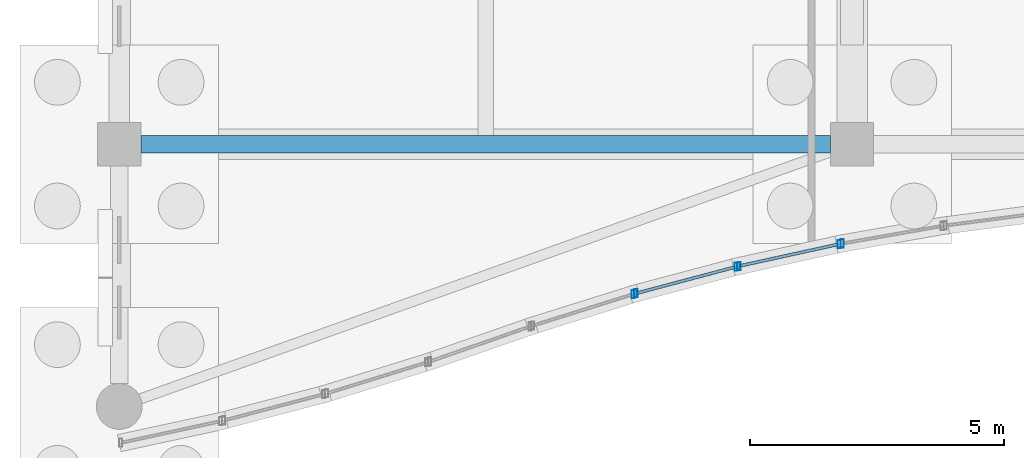
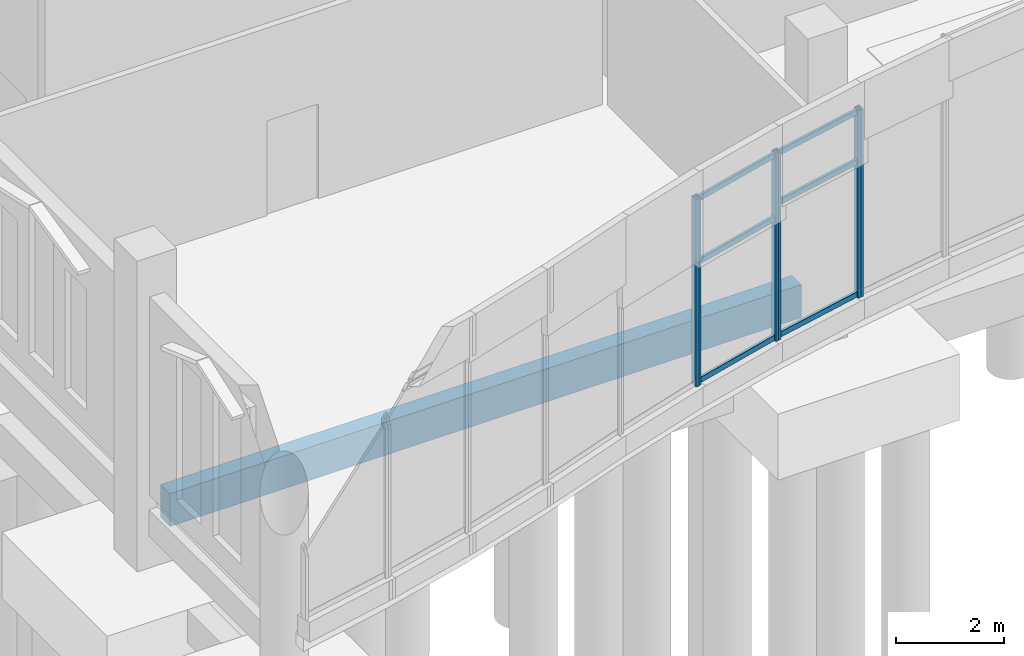
# One storey, part 22 of 192: 12 members, 1 beam, 4 elements without a shape of their own.
"""IFC4 building model written with IfcOpenShell, lengths in metres."""

from ifc_helpers import new_model, si_unit, direction, frame, origin, origin_2d, place, context, subcontext, project, spatial, rectangle, hollow_rectangle, extrude, material, material_profile, profile_set, type_object, element, aggregate, save


model = new_model("IFC4")

# Units and contexts
model_context = context("Model", 3, precision=1e-05, world=origin(), true_north=direction((0.0, 1.0)))
body_context = subcontext(model_context, "Body", "Model", "MODEL_VIEW")
ifc_project = project(units=[si_unit("LENGTHUNIT", "METRE"), si_unit("AREAUNIT", "SQUARE_METRE"), si_unit("VOLUMEUNIT", "CUBIC_METRE"), si_unit("PLANEANGLEUNIT", "RADIAN"), si_unit("MASSUNIT", "GRAM", prefix="KILO")], contexts=[model_context])

# Site, building, storey
site_placement = place(None, origin())
site = spatial("IfcSite", under=ifc_project, at=site_placement, CompositionType="ELEMENT")
building_placement = place(site_placement, origin())
building = spatial("IfcBuilding", under=site, at=building_placement, Name="Cendralis Lancet Convention Centre", CompositionType="ELEMENT")
storey_placement = place(building_placement, origin())
storey = spatial("IfcBuildingStorey", under=building, at=storey_placement, Name="L00", CompositionType="ELEMENT", Elevation=0.0)

# Curtain wall, member
ifc_material_1 = material(Name="Anodised bronze architectural aluminium", Category="aluminium")
curtain_wall_type = type_object("IfcCurtainWallType", Name="ARC-CW-WF01", PredefinedType="USERDEFINED", material=ifc_material_1)
curtain_wall_1_placement = place(storey_placement, origin())
curtain_wall_1 = element("IfcCurtainWall", 1, at=curtain_wall_1_placement, inside=storey, type_object=curtain_wall_type, Name="L00 Curtain Wall CW-WF1 #005", ObjectType="CURTAIN WALL", PredefinedType="USERDEFINED")
ifc_material_profile_1 = material_profile(ifc_material_1, hollow_rectangle(XDim=0.06005859375, YDim=0.159912109375, WallThickness=0.00390625, at=origin_2d()), Name="AL-MULL 60x160x4.0")
ifc_profile_set_1 = profile_set([ifc_material_profile_1], Name="Anodised bronze architectural aluminium")
member_type_1 = type_object("IfcMemberType", Name="ARC-CW-ML01", PredefinedType="MULLION", material=ifc_profile_set_1)
member_1_placement = place(storey_placement, frame((10.097412109375, 4.2509765625, 0.449951171875), z_axis=(0.0, 0.0, 1.0), x_axis=(1.0, 0.0, 0.0)))
member_1 = element("IfcMember", 2, at=member_1_placement, type_object=member_type_1, Name="Mullion CW2-CW-WF1-L00-005-M1", PredefinedType="MULLION", context=body_context, shape_type="SweptSolid", body=[
    extrude(hollow_rectangle(XDim=0.06005859375, YDim=0.159912109375, WallThickness=0.00390625, at=origin_2d()), origin(), (0.0, 0.0, 1.0), 4.255126953125),
])
aggregate(curtain_wall_1, [member_1])

# Curtain wall, members
curtain_wall_2_placement = place(storey_placement, origin())
curtain_wall_2 = element("IfcCurtainWall", 3, at=curtain_wall_2_placement, inside=storey, type_object=curtain_wall_type, Name="L00 Curtain Wall CW-WF1 #006", ObjectType="CURTAIN WALL", PredefinedType="USERDEFINED")
member_2_placement = place(storey_placement, frame((10.155029296875, 4.267578125, 0.449951171875), z_axis=(0.0, 0.0, 1.0), x_axis=(1.0, 0.0, 0.0)))
member_2 = element("IfcMember", 4, at=member_2_placement, type_object=member_type_1, Name="Mullion CW2-CW-WF1-L00-006-M0", PredefinedType="MULLION", context=body_context, shape_type="SweptSolid", body=[
    extrude(hollow_rectangle(XDim=0.06005859375, YDim=0.159912109375, WallThickness=0.00390625, at=origin_2d()), origin(), (0.0, 0.0, 1.0), 4.255126953125),
])
member_3_placement = place(storey_placement, frame((12.1220703125, 4.790283203125, 0.449951171875), z_axis=(0.0, 0.0, 1.0), x_axis=(1.0, 0.0, 0.0)))
member_3 = element("IfcMember", 5, at=member_3_placement, type_object=member_type_1, Name="Mullion CW2-CW-WF1-L00-006-M1", PredefinedType="MULLION", context=body_context, shape_type="SweptSolid", body=[
    extrude(hollow_rectangle(XDim=0.06005859375, YDim=0.159912109375, WallThickness=0.00390625, at=origin_2d()), origin(), (0.0, 0.0, 1.0), 4.255126953125),
])

curtain_wall_3_placement = place(storey_placement, origin())
curtain_wall_3 = element("IfcCurtainWall", 6, at=curtain_wall_3_placement, inside=storey, type_object=curtain_wall_type, Name="L00 Curtain Wall CW-WF1 #007", ObjectType="CURTAIN WALL", PredefinedType="USERDEFINED")
member_4_placement = place(storey_placement, frame((12.180419921875, 4.804443359375, 0.449951171875), z_axis=(0.0, 0.0, 1.0), x_axis=(1.0, 0.0, 0.0)))
member_4 = element("IfcMember", 7, at=member_4_placement, type_object=member_type_1, Name="Mullion CW2-CW-WF1-L00-007-M0", PredefinedType="MULLION", context=body_context, shape_type="SweptSolid", body=[
    extrude(hollow_rectangle(XDim=0.06005859375, YDim=0.159912109375, WallThickness=0.00390625, at=origin_2d()), origin(), (0.0, 0.0, 1.0), 4.255126953125),
])
member_5_placement = place(storey_placement, frame((14.147705078125, 5.236572265625, 0.449951171875), z_axis=(0.0, 0.0, 1.0), x_axis=(1.0, 0.0, 0.0)))
member_5 = element("IfcMember", 8, at=member_5_placement, type_object=member_type_1, Name="Mullion CW2-CW-WF1-L00-007-M1", PredefinedType="MULLION", context=body_context, shape_type="SweptSolid", body=[
    extrude(hollow_rectangle(XDim=0.06005859375, YDim=0.159912109375, WallThickness=0.00390625, at=origin_2d()), origin(), (0.0, 0.0, 1.0), 4.255126953125),
])

# Curtain wall, member
curtain_wall_4_placement = place(storey_placement, origin())
curtain_wall_4 = element("IfcCurtainWall", 9, at=curtain_wall_4_placement, inside=storey, type_object=curtain_wall_type, Name="L00 Curtain Wall CW-WF1 #008", ObjectType="CURTAIN WALL", PredefinedType="USERDEFINED")
member_6_placement = place(storey_placement, frame((14.20654296875, 5.248291015625, 0.449951171875), z_axis=(0.0, 0.0, 1.0), x_axis=(1.0, 0.0, 0.0)))
member_6 = element("IfcMember", 10, at=member_6_placement, type_object=member_type_1, Name="Mullion CW2-CW-WF1-L00-008-M0", PredefinedType="MULLION", context=body_context, shape_type="SweptSolid", body=[
    extrude(hollow_rectangle(XDim=0.06005859375, YDim=0.159912109375, WallThickness=0.00390625, at=origin_2d()), origin(), (0.0, 0.0, 1.0), 4.255126953125),
])
aggregate(curtain_wall_4, [member_6])

# Member
ifc_material_profile_2 = material_profile(ifc_material_1, hollow_rectangle(XDim=0.06005859375, YDim=0.1201171875, WallThickness=0.00390625, at=origin_2d()), Name="AL-TRAN 60x120x4.0")
ifc_profile_set_2 = profile_set([ifc_material_profile_2], Name="Anodised bronze architectural aluminium")
member_type_2 = type_object("IfcMemberType", Name="ARC-CW-TR01", PredefinedType="USERDEFINED", material=ifc_profile_set_2)
member_7_placement = place(storey_placement, frame((10.18408203125, 4.275390625, 0.510009765625), z_axis=(0.966452054749, 0.256847086554, 0.0), x_axis=(-0.256847086554, 0.966452054749, 0.0)))
member_7 = element("IfcMember", 11, at=member_7_placement, type_object=member_type_2, Name="Transom CW2-CW-WF1-L00-006-T0BOT", ObjectType="TRANSOM", PredefinedType="USERDEFINED", context=body_context, shape_type="SweptSolid", body=[
    extrude(hollow_rectangle(XDim=0.06005859375, YDim=0.1201171875, WallThickness=0.00390625, at=origin_2d()), origin(), (0.0, 0.0, 1.0), 1.97509765625),
])

member_8_placement = place(storey_placement, frame((10.18408203125, 4.275390625, 3.20703125), z_axis=(0.966452054749, 0.256847086554, 0.0), x_axis=(-0.256847086554, 0.966452054749, 0.0)))
member_8 = element("IfcMember", 12, at=member_8_placement, type_object=member_type_2, Name="Transom CW2-CW-WF1-L00-006-T0MID", ObjectType="TRANSOM", PredefinedType="USERDEFINED", context=body_context, shape_type="SweptSolid", body=[
    extrude(hollow_rectangle(XDim=0.06005859375, YDim=0.1201171875, WallThickness=0.00390625, at=origin_2d()), origin(), (0.0, 0.0, 1.0), 1.97509765625),
])

member_9_placement = place(storey_placement, frame((10.18408203125, 4.275390625, 4.64501953125), z_axis=(0.966452054749, 0.256847086554, 0.0), x_axis=(-0.256847086554, 0.966452054749, 0.0)))
member_9 = element("IfcMember", 13, at=member_9_placement, type_object=member_type_2, Name="Transom CW2-CW-WF1-L00-006-T0TOP", ObjectType="TRANSOM", PredefinedType="USERDEFINED", context=body_context, shape_type="SweptSolid", body=[
    extrude(hollow_rectangle(XDim=0.06005859375, YDim=0.1201171875, WallThickness=0.00390625, at=origin_2d()), origin(), (0.0, 0.0, 1.0), 1.97509765625),
])

aggregate(curtain_wall_2, [member_2, member_3, member_7, member_8, member_9])

member_10_placement = place(storey_placement, frame((12.209716796875, 4.810791015625, 0.510009765625), z_axis=(0.976722003181, 0.214509040607, 0.0), x_axis=(-0.214509040607, 0.976722003181, 0.0)))
member_10 = element("IfcMember", 14, at=member_10_placement, type_object=member_type_2, Name="Transom CW2-CW-WF1-L00-007-T0BOT", ObjectType="TRANSOM", PredefinedType="USERDEFINED", context=body_context, shape_type="SweptSolid", body=[
    extrude(hollow_rectangle(XDim=0.06005859375, YDim=0.1201171875, WallThickness=0.00390625, at=origin_2d()), origin(), (0.0, 0.0, 1.0), 1.9541015625),
])

member_11_placement = place(storey_placement, frame((12.209716796875, 4.810791015625, 3.51611328125), z_axis=(0.976722003181, 0.214509040607, 0.0), x_axis=(-0.214509040607, 0.976722003181, 0.0)))
member_11 = element("IfcMember", 15, at=member_11_placement, type_object=member_type_2, Name="Transom CW2-CW-WF1-L00-007-T0MID", ObjectType="TRANSOM", PredefinedType="USERDEFINED", context=body_context, shape_type="SweptSolid", body=[
    extrude(hollow_rectangle(XDim=0.06005859375, YDim=0.1201171875, WallThickness=0.00390625, at=origin_2d()), origin(), (0.0, 0.0, 1.0), 1.9541015625),
])

member_12_placement = place(storey_placement, frame((12.209716796875, 4.810791015625, 4.64501953125), z_axis=(0.976722003181, 0.214509040607, 0.0), x_axis=(-0.214509040607, 0.976722003181, 0.0)))
member_12 = element("IfcMember", 16, at=member_12_placement, type_object=member_type_2, Name="Transom CW2-CW-WF1-L00-007-T0TOP", ObjectType="TRANSOM", PredefinedType="USERDEFINED", context=body_context, shape_type="SweptSolid", body=[
    extrude(hollow_rectangle(XDim=0.06005859375, YDim=0.1201171875, WallThickness=0.00390625, at=origin_2d()), origin(), (0.0, 0.0, 1.0), 1.9541015625),
])

aggregate(curtain_wall_3, [member_4, member_5, member_10, member_11, member_12])

# Beam
ifc_material_2 = material(Name="Concrete G40 (C40/50)", Category="concrete")
ifc_material_profile_3 = material_profile(ifc_material_2, rectangle(XDim=0.35009765625, YDim=0.75, at=origin_2d()), Name="RCB 350x750")
ifc_profile_set_3 = profile_set([ifc_material_profile_3], Name="Concrete G40 (C40/50)")
beam_type = type_object("IfcBeamType", Name="STR-SP-SP01", PredefinedType="SPANDREL", material=ifc_profile_set_3)
beam_placement = place(storey_placement, frame((0.425048828125, 7.199951171875, -0.695068359375), z_axis=(1.0, 0.0, 0.0), x_axis=(0.0, 1.0, 0.0)))
element("IfcBeam", 17, at=beam_placement, inside=storey, type_object=beam_type, Name="L00 Beam SP01 #0656", PredefinedType="SPANDREL", context=body_context, shape_type="SweptSolid", body=[
    extrude(rectangle(XDim=0.35009765625, YDim=0.75, at=origin_2d()), origin(), (0.0, 0.0, 1.0), 13.550048828125),
])

save(model, "model.ifc")
